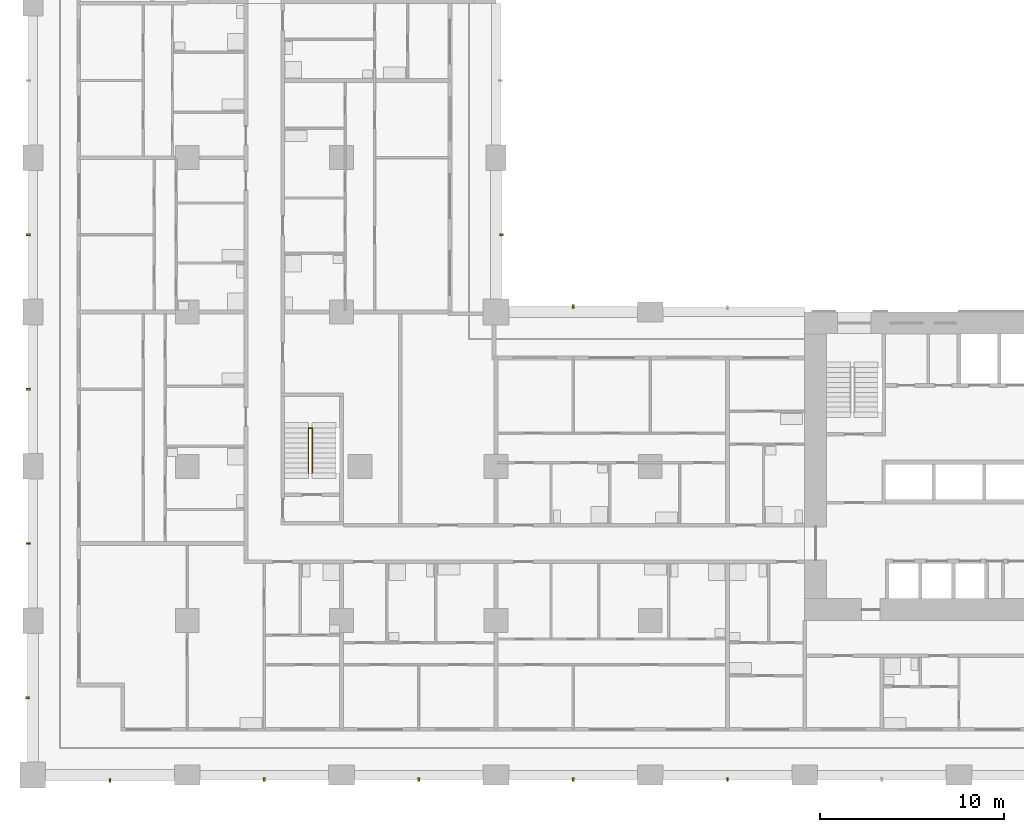
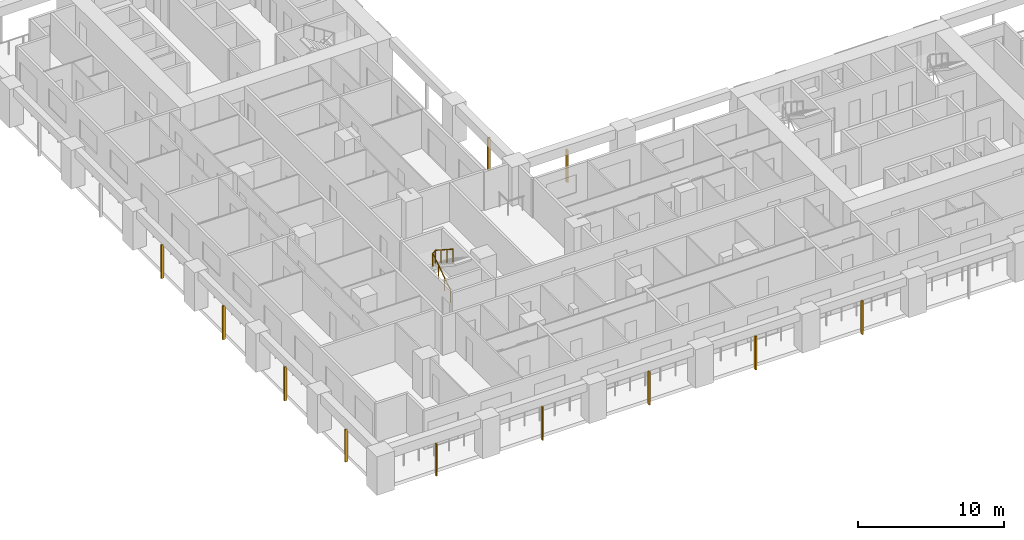
# One storey, part 12 of 19: 11 shading devices, 1 railing.
"""IFC4 building model written with IfcOpenShell, lengths in metres."""

from ifc_helpers import new_model, si_unit, direction, frame, origin, origin_2d, place, context, subcontext, project, spatial, rectangle, circle, extrude, material, material_profile, profile_set, type_object, element, save


model = new_model("IFC4")

# Units and contexts
model_context = context("Model", 3, precision=1e-05, world=origin(), true_north=direction((0.0, 1.0)))
body_context = subcontext(model_context, "Body", "Model", "MODEL_VIEW")
ifc_project = project(units=[si_unit("LENGTHUNIT", "METRE"), si_unit("AREAUNIT", "SQUARE_METRE"), si_unit("VOLUMEUNIT", "CUBIC_METRE"), si_unit("PLANEANGLEUNIT", "RADIAN"), si_unit("MASSUNIT", "GRAM", prefix="KILO")], contexts=[model_context])

# Site, building, storey
site_placement = place(None, origin())
site = spatial("IfcSite", under=ifc_project, at=site_placement, CompositionType="ELEMENT")
building_placement = place(site_placement, origin())
building = spatial("IfcBuilding", under=site, at=building_placement, Name="Vermilion Gate Residences", CompositionType="ELEMENT")
storey_placement = place(building_placement, frame((0.0, 0.0, 46.199951171875)))
storey = spatial("IfcBuildingStorey", under=building, at=storey_placement, Name="L10", CompositionType="ELEMENT", Elevation=46.199951171875)

# Railing
ifc_material_1 = material(Name="Steel S355", Category="steel")
railing_type = type_object("IfcRailingType", Name="STAIR GUARD 1100 STEEL", PredefinedType="GUARDRAIL", material=ifc_material_1)
railing_placement = place(storey_placement, frame((15.0, 16.449951171875, 0.175048828125)))
element("IfcRailing", 1, at=railing_placement, inside=storey, type_object=railing_type, Name="Stair well guard STC1-10", PredefinedType="GUARDRAIL", context=body_context, shape_type="SweptSolid", body=[
    extrude(circle(Radius=0.02392578125, at=origin_2d()), frame((0.0, 0.0, 1.076171875), z_axis=(0.0, 0.839153699163, 0.543894354798), x_axis=(-1.0, 0.0, 0.0)), (0.0, 0.0, 1.0), 2.895751953125),
    extrude(circle(Radius=0.02392578125, at=origin_2d()), frame((0.0, 2.429931640625, 2.65087890625), z_axis=(0.752405939678, 0.0, 0.658699705433), x_axis=(0.0, 1.0, 0.0)), (0.0, 0.0, 1.0), 0.265869140625),
    extrude(circle(Radius=0.02392578125, at=origin_2d()), frame((0.199951171875, 2.429931640625, 2.826171875), z_axis=(0.0, -0.839153699163, 0.543894354798), x_axis=(1.0, 0.0, 0.0)), (0.0, 0.0, 1.0), 2.895751953125),
    extrude(circle(Radius=0.02099609375, at=origin_2d()), origin(), (0.0, 0.0, 1.0), 1.052001953125),
    extrude(circle(Radius=0.02099609375, at=origin_2d()), frame((0.0, 0.81005859375, 0.52490234375)), (0.0, 0.0, 1.0), 1.052001953125),
    extrude(circle(Radius=0.02099609375, at=origin_2d()), frame((0.0, 1.619873046875, 1.050048828125)), (0.0, 0.0, 1.0), 1.052001953125),
    extrude(circle(Radius=0.02099609375, at=origin_2d()), frame((0.0, 2.429931640625, 1.574951171875)), (0.0, 0.0, 1.0), 1.052001953125),
    extrude(circle(Radius=0.02099609375, at=origin_2d()), frame((0.199951171875, 2.429931640625, 1.75)), (0.0, 0.0, 1.0), 1.052001953125),
    extrude(circle(Radius=0.02099609375, at=origin_2d()), frame((0.199951171875, 1.619873046875, 2.27490234375)), (0.0, 0.0, 1.0), 1.052001953125),
    extrude(circle(Radius=0.02099609375, at=origin_2d()), frame((0.199951171875, 0.81005859375, 2.800048828125)), (0.0, 0.0, 1.0), 1.052001953125),
    extrude(circle(Radius=0.02099609375, at=origin_2d()), frame((0.199951171875, 0.0, 3.324951171875)), (0.0, 0.0, 1.0), 1.052001953125),
])

# Shading devices
ifc_material_2 = material(Name="Extruded terracotta", Category="masonry")
ifc_material_profile = material_profile(ifc_material_2, rectangle(XDim=0.199951171875, YDim=0.10009765625, at=origin_2d()), Name="BAGUETTE 100 X 200")
ifc_profile_set = profile_set([ifc_material_profile], Name="Extruded terracotta")
shading_device_type = type_object("IfcShadingDeviceType", Name="TERRACOTTA BAGUETTE 100 X 200", PredefinedType="JALOUSIE", material=ifc_profile_set)
shading_device_placement = place(storey_placement, frame((4.199951171875, -0.300048828125, -0.280029296875), z_axis=(0.0, 0.0, 1.0), x_axis=(0.0, 1.0, 0.0)))
element("IfcShadingDevice", 2, at=shading_device_placement, inside=storey, type_object=shading_device_type, Name="BAGUETTE", PredefinedType="JALOUSIE", context=body_context, shape_type="SweptSolid", body=[
    extrude(rectangle(XDim=0.199951171875, YDim=0.10009765625, at=origin_2d()), origin(), (0.0, 0.0, 1.0), 2.7001953125),
])
for number, where, z_axis, x_axis, name in (
    (3, (12.60009765625, -0.25, -0.280029296875), (0.0, 0.0, 1.0), (0.0, 1.0, 0.0), "BAGUETTE"),
    (4, (21.0, -0.25, -0.280029296875), (0.0, 0.0, 1.0), (0.0, 1.0, 0.0), "BAGUETTE"),
    (5, (29.39990234375, -0.25, -0.280029296875), (0.0, 0.0, 1.0), (0.0, 1.0, 0.0), "BAGUETTE"),
    (6, (37.800048828125, -0.25, -0.280029296875), (0.0, 0.0, 1.0), (0.0, 1.0, 0.0), "BAGUETTE"),
):
    element("IfcShadingDevice", number, at=place(storey_placement, frame(where, z_axis=z_axis, x_axis=x_axis)), inside=storey, type_object=shading_device_type, Name=name, PredefinedType="JALOUSIE", context=body_context, shape_type="SweptSolid", body=[
        extrude(rectangle(XDim=0.199951171875, YDim=0.10009765625, at=origin_2d()), origin(), (0.0, 0.0, 1.0), 2.800048828125),
    ])
for number, where, z_axis, x_axis, name in (
    (7, (29.39990234375, 25.5, -0.280029296875), (0.0, 0.0, 1.0), (0.0, -1.0, 0.0), "BAGUETTE"),
    (8, (25.5, 29.39990234375, -0.280029296875), (0.0, 0.0, 1.0), (-1.0, 0.0, 0.0), "BAGUETTE"),
    (9, (-0.300048828125, 4.199951171875, -0.280029296875), (0.0, 0.0, 1.0), (1.0, 0.0, 0.0), "BAGUETTE"),
):
    element("IfcShadingDevice", number, at=place(storey_placement, frame(where, z_axis=z_axis, x_axis=x_axis)), inside=storey, type_object=shading_device_type, Name=name, PredefinedType="JALOUSIE", context=body_context, shape_type="SweptSolid", body=[
        extrude(rectangle(XDim=0.199951171875, YDim=0.10009765625, at=origin_2d()), origin(), (0.0, 0.0, 1.0), 2.7001953125),
    ])
for number, where, z_axis, x_axis, name in (
    (10, (-0.25, 12.60009765625, -0.280029296875), (0.0, 0.0, 1.0), (1.0, 0.0, 0.0), "BAGUETTE"),
    (11, (-0.25, 21.0, -0.280029296875), (0.0, 0.0, 1.0), (1.0, 0.0, 0.0), "BAGUETTE"),
    (12, (-0.25, 29.39990234375, -0.280029296875), (0.0, 0.0, 1.0), (1.0, 0.0, 0.0), "BAGUETTE"),
):
    element("IfcShadingDevice", number, at=place(storey_placement, frame(where, z_axis=z_axis, x_axis=x_axis)), inside=storey, type_object=shading_device_type, Name=name, PredefinedType="JALOUSIE", context=body_context, shape_type="SweptSolid", body=[
        extrude(rectangle(XDim=0.199951171875, YDim=0.10009765625, at=origin_2d()), origin(), (0.0, 0.0, 1.0), 2.800048828125),
    ])

save(model, "model.ifc")
